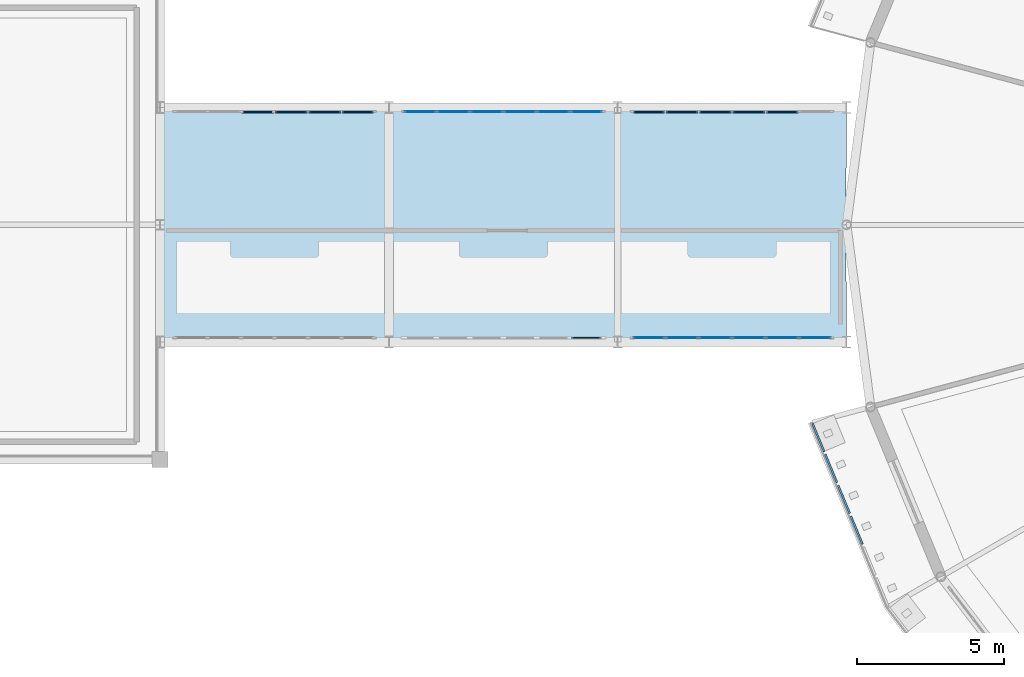
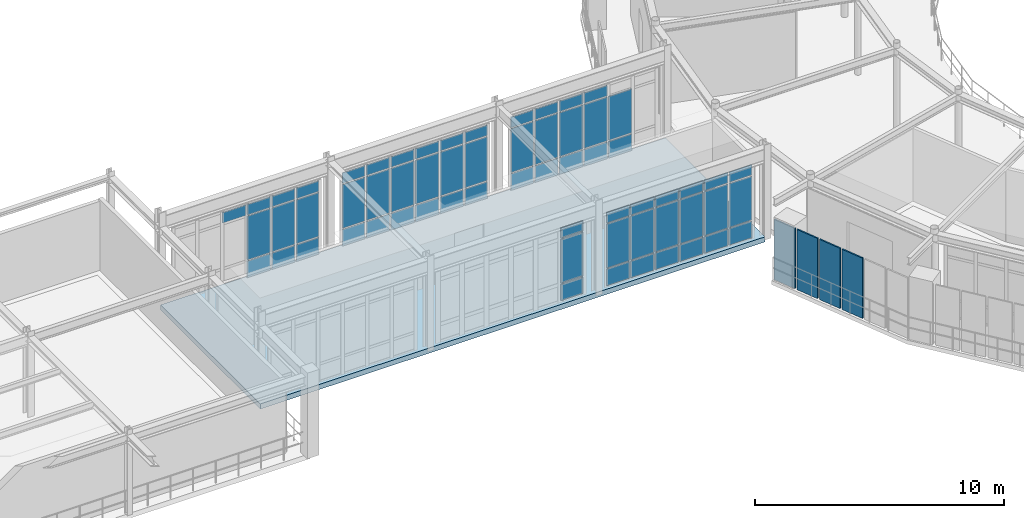
# One storey, part 59 of 90: 67 plates, 1 slab, 5 elements without a shape of their own.
"""IFC4 building model written with IfcOpenShell, lengths in metres."""

from ifc_helpers import new_model, si_unit, derived_unit, direction, frame, origin, origin_2d, place, context, subcontext, project, spatial, polyline, rectangle, outline, extrude, material, layer, layer_set, type_object, element, aggregate, save


model = new_model("IFC4")

# Units and contexts
model_context = context("Model", 3, precision=1e-05, world=origin(), true_north=direction((0.0, 1.0)))
body_context = subcontext(model_context, "Body", "Model", "MODEL_VIEW")
ifc_project = project(units=[si_unit("LENGTHUNIT", "METRE"), si_unit("AREAUNIT", "SQUARE_METRE"), si_unit("VOLUMEUNIT", "CUBIC_METRE"), si_unit("PLANEANGLEUNIT", "RADIAN"), si_unit("MASSUNIT", "GRAM", prefix="KILO"), derived_unit("THERMALTRANSMITTANCEUNIT", [(si_unit("POWERUNIT", "WATT"), 1), (si_unit("AREAUNIT", "SQUARE_METRE"), -1), (si_unit("THERMODYNAMICTEMPERATUREUNIT", "KELVIN"), -1)])], contexts=[model_context])

# Site, building, storey
site_placement = place(None, origin())
site = spatial("IfcSite", under=ifc_project, at=site_placement, CompositionType="ELEMENT")
building_placement = place(site_placement, origin())
building = spatial("IfcBuilding", under=site, at=building_placement, Name="Yasenodar Specialist Clinic", CompositionType="ELEMENT")
storey_placement = place(building_placement, frame((0.0, 0.0, 9.0)))
storey = spatial("IfcBuildingStorey", under=building, at=storey_placement, Name="L02", CompositionType="ELEMENT", Elevation=9.0)

# Curtain wall, plates
ifc_material_1 = material(Name="Bronze Anodized Aluminium and Triple Low-E Glass", Category="aluminium")
ifc_layer_1 = layer(ifc_material_1, 0.19091796875)
ifc_layer_set_1 = layer_set([ifc_layer_1], Name="Bronze Anodized Aluminium and Triple Low-E Glass")
curtain_wall_type = type_object("IfcCurtainWallType", Name="CW-SYS-03", PredefinedType="USERDEFINED", material=ifc_layer_set_1)
curtain_wall_1_placement = place(storey_placement, origin())
curtain_wall_1 = element("IfcCurtainWall", 1, at=curtain_wall_1_placement, inside=storey, type_object=curtain_wall_type, Name="L02 Unitised Curtain Wall 112", ObjectType="UNITISED CURTAIN WALL", PredefinedType="USERDEFINED")
ifc_material_2 = material(Name="Triple Low-E Argon Glazing", Category="glass")
ifc_layer_2 = layer(ifc_material_2, 0.028076171875)
ifc_layer_set_2 = layer_set([ifc_layer_2], Name="Triple Low-E Argon Glazing")
plate_type_1 = type_object("IfcPlateType", Name="CW-PAN-1", PredefinedType="CURTAIN_PANEL", material=ifc_layer_set_2)
plate_1_placement = place(storey_placement, frame((55.93505859375, 54.949951171875, 0.06005859375), z_axis=(0.0, 0.0, 1.0), x_axis=(-1.0, 0.0, 0.0)))
plate_1 = element("IfcPlate", 2, at=plate_1_placement, type_object=plate_type_1, Name="CW-03 panel 1.1", PredefinedType="CURTAIN_PANEL", context=body_context, shape_type="SweptSolid", body=[
    extrude(rectangle(XDim=1.050048828125, YDim=0.028076171875, at=origin_2d()), origin(), (0.0, 0.0, 1.0), 0.81005859375),
])
plate_2_placement = place(storey_placement, frame((55.93505859375, 54.949951171875, 0.929931640625), z_axis=(0.0, 0.0, 1.0), x_axis=(-1.0, 0.0, 0.0)))
plate_2 = element("IfcPlate", 3, at=plate_2_placement, type_object=plate_type_1, Name="CW-03 panel 1.2", PredefinedType="CURTAIN_PANEL", context=body_context, shape_type="SweptSolid", body=[
    extrude(rectangle(XDim=1.050048828125, YDim=0.028076171875, at=origin_2d()), origin(), (0.0, 0.0, 1.0), 2.14306640625),
])
plate_3_placement = place(storey_placement, frame((55.93505859375, 54.949951171875, 3.1328125), z_axis=(0.0, 0.0, 1.0), x_axis=(-1.0, 0.0, 0.0)))
plate_3 = element("IfcPlate", 4, at=plate_3_placement, type_object=plate_type_1, Name="CW-03 panel 1.3", PredefinedType="CURTAIN_PANEL", context=body_context, shape_type="SweptSolid", body=[
    extrude(rectangle(XDim=1.050048828125, YDim=0.028076171875, at=origin_2d()), origin(), (0.0, 0.0, 1.0), 0.510009765625),
])
plate_4_placement = place(storey_placement, frame((54.81005859375, 54.949951171875, 0.06005859375), z_axis=(0.0, 0.0, 1.0), x_axis=(-1.0, 0.0, 0.0)))
plate_4 = element("IfcPlate", 5, at=plate_4_placement, type_object=plate_type_1, Name="CW-03 panel 2.1", PredefinedType="CURTAIN_PANEL", context=body_context, shape_type="SweptSolid", body=[
    extrude(rectangle(XDim=1.080078125, YDim=0.028076171875, at=origin_2d()), origin(), (0.0, 0.0, 1.0), 0.81005859375),
])
plate_5_placement = place(storey_placement, frame((54.81005859375, 54.949951171875, 0.929931640625), z_axis=(0.0, 0.0, 1.0), x_axis=(-1.0, 0.0, 0.0)))
plate_5 = element("IfcPlate", 6, at=plate_5_placement, type_object=plate_type_1, Name="CW-03 panel 2.2", PredefinedType="CURTAIN_PANEL", context=body_context, shape_type="SweptSolid", body=[
    extrude(rectangle(XDim=1.080078125, YDim=0.028076171875, at=origin_2d()), origin(), (0.0, 0.0, 1.0), 2.14306640625),
])
plate_6_placement = place(storey_placement, frame((54.81005859375, 54.949951171875, 3.1328125), z_axis=(0.0, 0.0, 1.0), x_axis=(-1.0, 0.0, 0.0)))
plate_6 = element("IfcPlate", 7, at=plate_6_placement, type_object=plate_type_1, Name="CW-03 panel 2.3", PredefinedType="CURTAIN_PANEL", context=body_context, shape_type="SweptSolid", body=[
    extrude(rectangle(XDim=1.080078125, YDim=0.028076171875, at=origin_2d()), origin(), (0.0, 0.0, 1.0), 0.510009765625),
])
plate_7_placement = place(storey_placement, frame((53.669921875, 54.949951171875, 0.06005859375), z_axis=(0.0, 0.0, 1.0), x_axis=(-1.0, 0.0, 0.0)))
plate_7 = element("IfcPlate", 8, at=plate_7_placement, type_object=plate_type_1, Name="CW-03 panel 3.1", PredefinedType="CURTAIN_PANEL", context=body_context, shape_type="SweptSolid", body=[
    extrude(rectangle(XDim=1.080078125, YDim=0.028076171875, at=origin_2d()), origin(), (0.0, 0.0, 1.0), 0.81005859375),
])
plate_8_placement = place(storey_placement, frame((53.669921875, 54.949951171875, 0.929931640625), z_axis=(0.0, 0.0, 1.0), x_axis=(-1.0, 0.0, 0.0)))
plate_8 = element("IfcPlate", 9, at=plate_8_placement, type_object=plate_type_1, Name="CW-03 panel 3.2", PredefinedType="CURTAIN_PANEL", context=body_context, shape_type="SweptSolid", body=[
    extrude(rectangle(XDim=1.080078125, YDim=0.028076171875, at=origin_2d()), origin(), (0.0, 0.0, 1.0), 2.14306640625),
])
plate_9_placement = place(storey_placement, frame((53.669921875, 54.949951171875, 3.1328125), z_axis=(0.0, 0.0, 1.0), x_axis=(-1.0, 0.0, 0.0)))
plate_9 = element("IfcPlate", 10, at=plate_9_placement, type_object=plate_type_1, Name="CW-03 panel 3.3", PredefinedType="CURTAIN_PANEL", context=body_context, shape_type="SweptSolid", body=[
    extrude(rectangle(XDim=1.080078125, YDim=0.028076171875, at=origin_2d()), origin(), (0.0, 0.0, 1.0), 0.510009765625),
])
plate_10_placement = place(storey_placement, frame((52.530029296875, 54.949951171875, 0.06005859375), z_axis=(0.0, 0.0, 1.0), x_axis=(-1.0, 0.0, 0.0)))
plate_10 = element("IfcPlate", 11, at=plate_10_placement, type_object=plate_type_1, Name="CW-03 panel 4.1", PredefinedType="CURTAIN_PANEL", context=body_context, shape_type="SweptSolid", body=[
    extrude(rectangle(XDim=1.080078125, YDim=0.028076171875, at=origin_2d()), origin(), (0.0, 0.0, 1.0), 0.81005859375),
])
plate_11_placement = place(storey_placement, frame((52.530029296875, 54.949951171875, 0.929931640625), z_axis=(0.0, 0.0, 1.0), x_axis=(-1.0, 0.0, 0.0)))
plate_11 = element("IfcPlate", 12, at=plate_11_placement, type_object=plate_type_1, Name="CW-03 panel 4.2", PredefinedType="CURTAIN_PANEL", context=body_context, shape_type="SweptSolid", body=[
    extrude(rectangle(XDim=1.080078125, YDim=0.028076171875, at=origin_2d()), origin(), (0.0, 0.0, 1.0), 2.14306640625),
])
plate_12_placement = place(storey_placement, frame((52.530029296875, 54.949951171875, 3.1328125), z_axis=(0.0, 0.0, 1.0), x_axis=(-1.0, 0.0, 0.0)))
plate_12 = element("IfcPlate", 13, at=plate_12_placement, type_object=plate_type_1, Name="CW-03 panel 4.3", PredefinedType="CURTAIN_PANEL", context=body_context, shape_type="SweptSolid", body=[
    extrude(rectangle(XDim=1.080078125, YDim=0.028076171875, at=origin_2d()), origin(), (0.0, 0.0, 1.0), 0.510009765625),
])
plate_13_placement = place(storey_placement, frame((51.389892578125, 54.949951171875, 0.06005859375), z_axis=(0.0, 0.0, 1.0), x_axis=(-1.0, 0.0, 0.0)))
plate_13 = element("IfcPlate", 14, at=plate_13_placement, type_object=plate_type_1, Name="CW-03 panel 5.1", PredefinedType="CURTAIN_PANEL", context=body_context, shape_type="SweptSolid", body=[
    extrude(rectangle(XDim=1.080078125, YDim=0.028076171875, at=origin_2d()), origin(), (0.0, 0.0, 1.0), 0.81005859375),
])
plate_14_placement = place(storey_placement, frame((51.389892578125, 54.949951171875, 0.929931640625), z_axis=(0.0, 0.0, 1.0), x_axis=(-1.0, 0.0, 0.0)))
plate_14 = element("IfcPlate", 15, at=plate_14_placement, type_object=plate_type_1, Name="CW-03 panel 5.2", PredefinedType="CURTAIN_PANEL", context=body_context, shape_type="SweptSolid", body=[
    extrude(rectangle(XDim=1.080078125, YDim=0.028076171875, at=origin_2d()), origin(), (0.0, 0.0, 1.0), 2.14306640625),
])
plate_15_placement = place(storey_placement, frame((51.389892578125, 54.949951171875, 3.1328125), z_axis=(0.0, 0.0, 1.0), x_axis=(-1.0, 0.0, 0.0)))
plate_15 = element("IfcPlate", 16, at=plate_15_placement, type_object=plate_type_1, Name="CW-03 panel 5.3", PredefinedType="CURTAIN_PANEL", context=body_context, shape_type="SweptSolid", body=[
    extrude(rectangle(XDim=1.080078125, YDim=0.028076171875, at=origin_2d()), origin(), (0.0, 0.0, 1.0), 0.510009765625),
])
plate_16_placement = place(storey_placement, frame((50.264892578125, 54.949951171875, 0.06005859375), z_axis=(0.0, 0.0, 1.0), x_axis=(-1.0, 0.0, 0.0)))
plate_16 = element("IfcPlate", 17, at=plate_16_placement, type_object=plate_type_1, Name="CW-03 panel 6.1", PredefinedType="CURTAIN_PANEL", context=body_context, shape_type="SweptSolid", body=[
    extrude(rectangle(XDim=1.050048828125, YDim=0.028076171875, at=origin_2d()), origin(), (0.0, 0.0, 1.0), 0.81005859375),
])
plate_17_placement = place(storey_placement, frame((50.264892578125, 54.949951171875, 0.929931640625), z_axis=(0.0, 0.0, 1.0), x_axis=(-1.0, 0.0, 0.0)))
plate_17 = element("IfcPlate", 18, at=plate_17_placement, type_object=plate_type_1, Name="CW-03 panel 6.2", PredefinedType="CURTAIN_PANEL", context=body_context, shape_type="SweptSolid", body=[
    extrude(rectangle(XDim=1.050048828125, YDim=0.028076171875, at=origin_2d()), origin(), (0.0, 0.0, 1.0), 2.14306640625),
])
plate_18_placement = place(storey_placement, frame((50.264892578125, 54.949951171875, 3.1328125), z_axis=(0.0, 0.0, 1.0), x_axis=(-1.0, 0.0, 0.0)))
plate_18 = element("IfcPlate", 19, at=plate_18_placement, type_object=plate_type_1, Name="CW-03 panel 6.3", PredefinedType="CURTAIN_PANEL", context=body_context, shape_type="SweptSolid", body=[
    extrude(rectangle(XDim=1.050048828125, YDim=0.028076171875, at=origin_2d()), origin(), (0.0, 0.0, 1.0), 0.510009765625),
])
aggregate(curtain_wall_1, [plate_1, plate_2, plate_3, plate_4, plate_5, plate_6, plate_7, plate_8, plate_9, plate_10, plate_11, plate_12, plate_13, plate_14, plate_15, plate_16, plate_17, plate_18])

curtain_wall_2_placement = place(storey_placement, origin())
curtain_wall_2 = element("IfcCurtainWall", 20, at=curtain_wall_2_placement, inside=storey, type_object=curtain_wall_type, Name="L02 Unitised Curtain Wall 109", ObjectType="UNITISED CURTAIN WALL", PredefinedType="USERDEFINED")
ifc_layer_3 = layer(ifc_material_2, 0.033935546875)
ifc_layer_set_3 = layer_set([ifc_layer_3], Name="Triple Low-E Argon Glazing")
plate_type_2 = type_object("IfcPlateType", Name="CW-PAN-2", PredefinedType="CURTAIN_PANEL", material=ifc_layer_set_3)
plate_19_placement = place(storey_placement, frame((42.465087890625, 62.64990234375, 0.06005859375), z_axis=(0.0, 0.0, 1.0), x_axis=(1.0, 0.0, 0.0)))
plate_19 = element("IfcPlate", 21, at=plate_19_placement, type_object=plate_type_2, Name="CW-03 panel 1.1", PredefinedType="CURTAIN_PANEL", context=body_context, shape_type="SweptSolid", body=[
    extrude(rectangle(XDim=1.050048828125, YDim=0.033935546875, at=origin_2d()), origin(), (0.0, 0.0, 1.0), 0.81005859375),
])
plate_20_placement = place(storey_placement, frame((42.465087890625, 62.64990234375, 0.929931640625), z_axis=(0.0, 0.0, 1.0), x_axis=(1.0, 0.0, 0.0)))
plate_20 = element("IfcPlate", 22, at=plate_20_placement, type_object=plate_type_2, Name="CW-03 panel 1.2", PredefinedType="CURTAIN_PANEL", context=body_context, shape_type="SweptSolid", body=[
    extrude(rectangle(XDim=1.050048828125, YDim=0.033935546875, at=origin_2d()), origin(), (0.0, 0.0, 1.0), 2.14306640625),
])
plate_21_placement = place(storey_placement, frame((42.465087890625, 62.64990234375, 3.1328125), z_axis=(0.0, 0.0, 1.0), x_axis=(1.0, 0.0, 0.0)))
plate_21 = element("IfcPlate", 23, at=plate_21_placement, type_object=plate_type_2, Name="CW-03 panel 1.3", PredefinedType="CURTAIN_PANEL", context=body_context, shape_type="SweptSolid", body=[
    extrude(rectangle(XDim=1.050048828125, YDim=0.033935546875, at=origin_2d()), origin(), (0.0, 0.0, 1.0), 0.510009765625),
])
plate_22_placement = place(storey_placement, frame((43.590087890625, 62.64990234375, 0.06005859375), z_axis=(0.0, 0.0, 1.0), x_axis=(1.0, 0.0, 0.0)))
plate_22 = element("IfcPlate", 24, at=plate_22_placement, type_object=plate_type_2, Name="CW-03 panel 2.1", PredefinedType="CURTAIN_PANEL", context=body_context, shape_type="SweptSolid", body=[
    extrude(rectangle(XDim=1.080078125, YDim=0.033935546875, at=origin_2d()), origin(), (0.0, 0.0, 1.0), 0.81005859375),
])
plate_23_placement = place(storey_placement, frame((43.590087890625, 62.64990234375, 0.929931640625), z_axis=(0.0, 0.0, 1.0), x_axis=(1.0, 0.0, 0.0)))
plate_23 = element("IfcPlate", 25, at=plate_23_placement, type_object=plate_type_2, Name="CW-03 panel 2.2", PredefinedType="CURTAIN_PANEL", context=body_context, shape_type="SweptSolid", body=[
    extrude(rectangle(XDim=1.080078125, YDim=0.033935546875, at=origin_2d()), origin(), (0.0, 0.0, 1.0), 2.14306640625),
])
plate_24_placement = place(storey_placement, frame((43.590087890625, 62.64990234375, 3.1328125), z_axis=(0.0, 0.0, 1.0), x_axis=(1.0, 0.0, 0.0)))
plate_24 = element("IfcPlate", 26, at=plate_24_placement, type_object=plate_type_2, Name="CW-03 panel 2.3", PredefinedType="CURTAIN_PANEL", context=body_context, shape_type="SweptSolid", body=[
    extrude(rectangle(XDim=1.080078125, YDim=0.033935546875, at=origin_2d()), origin(), (0.0, 0.0, 1.0), 0.510009765625),
])
plate_25_placement = place(storey_placement, frame((44.72998046875, 62.64990234375, 0.06005859375), z_axis=(0.0, 0.0, 1.0), x_axis=(1.0, 0.0, 0.0)))
plate_25 = element("IfcPlate", 27, at=plate_25_placement, type_object=plate_type_2, Name="CW-03 panel 3.1", PredefinedType="CURTAIN_PANEL", context=body_context, shape_type="SweptSolid", body=[
    extrude(rectangle(XDim=1.080078125, YDim=0.033935546875, at=origin_2d()), origin(), (0.0, 0.0, 1.0), 0.81005859375),
])
plate_26_placement = place(storey_placement, frame((44.72998046875, 62.64990234375, 0.929931640625), z_axis=(0.0, 0.0, 1.0), x_axis=(1.0, 0.0, 0.0)))
plate_26 = element("IfcPlate", 28, at=plate_26_placement, type_object=plate_type_2, Name="CW-03 panel 3.2", PredefinedType="CURTAIN_PANEL", context=body_context, shape_type="SweptSolid", body=[
    extrude(rectangle(XDim=1.080078125, YDim=0.033935546875, at=origin_2d()), origin(), (0.0, 0.0, 1.0), 2.14306640625),
])
plate_27_placement = place(storey_placement, frame((44.72998046875, 62.64990234375, 3.1328125), z_axis=(0.0, 0.0, 1.0), x_axis=(1.0, 0.0, 0.0)))
plate_27 = element("IfcPlate", 29, at=plate_27_placement, type_object=plate_type_2, Name="CW-03 panel 3.3", PredefinedType="CURTAIN_PANEL", context=body_context, shape_type="SweptSolid", body=[
    extrude(rectangle(XDim=1.080078125, YDim=0.033935546875, at=origin_2d()), origin(), (0.0, 0.0, 1.0), 0.510009765625),
])
plate_28_placement = place(storey_placement, frame((45.8701171875, 62.64990234375, 0.06005859375), z_axis=(0.0, 0.0, 1.0), x_axis=(1.0, 0.0, 0.0)))
plate_28 = element("IfcPlate", 30, at=plate_28_placement, type_object=plate_type_2, Name="CW-03 panel 4.1", PredefinedType="CURTAIN_PANEL", context=body_context, shape_type="SweptSolid", body=[
    extrude(rectangle(XDim=1.080078125, YDim=0.033935546875, at=origin_2d()), origin(), (0.0, 0.0, 1.0), 0.81005859375),
])
plate_29_placement = place(storey_placement, frame((45.8701171875, 62.64990234375, 0.929931640625), z_axis=(0.0, 0.0, 1.0), x_axis=(1.0, 0.0, 0.0)))
plate_29 = element("IfcPlate", 31, at=plate_29_placement, type_object=plate_type_2, Name="CW-03 panel 4.2", PredefinedType="CURTAIN_PANEL", context=body_context, shape_type="SweptSolid", body=[
    extrude(rectangle(XDim=1.080078125, YDim=0.033935546875, at=origin_2d()), origin(), (0.0, 0.0, 1.0), 2.14306640625),
])
plate_30_placement = place(storey_placement, frame((45.8701171875, 62.64990234375, 3.1328125), z_axis=(0.0, 0.0, 1.0), x_axis=(1.0, 0.0, 0.0)))
plate_30 = element("IfcPlate", 32, at=plate_30_placement, type_object=plate_type_2, Name="CW-03 panel 4.3", PredefinedType="CURTAIN_PANEL", context=body_context, shape_type="SweptSolid", body=[
    extrude(rectangle(XDim=1.080078125, YDim=0.033935546875, at=origin_2d()), origin(), (0.0, 0.0, 1.0), 0.510009765625),
])
plate_31_placement = place(storey_placement, frame((47.010009765625, 62.64990234375, 0.06005859375), z_axis=(0.0, 0.0, 1.0), x_axis=(1.0, 0.0, 0.0)))
plate_31 = element("IfcPlate", 33, at=plate_31_placement, type_object=plate_type_2, Name="CW-03 panel 5.1", PredefinedType="CURTAIN_PANEL", context=body_context, shape_type="SweptSolid", body=[
    extrude(rectangle(XDim=1.080078125, YDim=0.033935546875, at=origin_2d()), origin(), (0.0, 0.0, 1.0), 0.81005859375),
])
plate_32_placement = place(storey_placement, frame((47.010009765625, 62.64990234375, 0.929931640625), z_axis=(0.0, 0.0, 1.0), x_axis=(1.0, 0.0, 0.0)))
plate_32 = element("IfcPlate", 34, at=plate_32_placement, type_object=plate_type_2, Name="CW-03 panel 5.2", PredefinedType="CURTAIN_PANEL", context=body_context, shape_type="SweptSolid", body=[
    extrude(rectangle(XDim=1.080078125, YDim=0.033935546875, at=origin_2d()), origin(), (0.0, 0.0, 1.0), 2.14306640625),
])
plate_33_placement = place(storey_placement, frame((47.010009765625, 62.64990234375, 3.1328125), z_axis=(0.0, 0.0, 1.0), x_axis=(1.0, 0.0, 0.0)))
plate_33 = element("IfcPlate", 35, at=plate_33_placement, type_object=plate_type_2, Name="CW-03 panel 5.3", PredefinedType="CURTAIN_PANEL", context=body_context, shape_type="SweptSolid", body=[
    extrude(rectangle(XDim=1.080078125, YDim=0.033935546875, at=origin_2d()), origin(), (0.0, 0.0, 1.0), 0.510009765625),
])
plate_34_placement = place(storey_placement, frame((48.135009765625, 62.64990234375, 0.06005859375), z_axis=(0.0, 0.0, 1.0), x_axis=(1.0, 0.0, 0.0)))
plate_34 = element("IfcPlate", 36, at=plate_34_placement, type_object=plate_type_2, Name="CW-03 panel 6.1", PredefinedType="CURTAIN_PANEL", context=body_context, shape_type="SweptSolid", body=[
    extrude(rectangle(XDim=1.050048828125, YDim=0.033935546875, at=origin_2d()), origin(), (0.0, 0.0, 1.0), 0.81005859375),
])
plate_35_placement = place(storey_placement, frame((48.135009765625, 62.64990234375, 0.929931640625), z_axis=(0.0, 0.0, 1.0), x_axis=(1.0, 0.0, 0.0)))
plate_35 = element("IfcPlate", 37, at=plate_35_placement, type_object=plate_type_2, Name="CW-03 panel 6.2", PredefinedType="CURTAIN_PANEL", context=body_context, shape_type="SweptSolid", body=[
    extrude(rectangle(XDim=1.050048828125, YDim=0.033935546875, at=origin_2d()), origin(), (0.0, 0.0, 1.0), 2.14306640625),
])
plate_36_placement = place(storey_placement, frame((48.135009765625, 62.64990234375, 3.1328125), z_axis=(0.0, 0.0, 1.0), x_axis=(1.0, 0.0, 0.0)))
plate_36 = element("IfcPlate", 38, at=plate_36_placement, type_object=plate_type_2, Name="CW-03 panel 6.3", PredefinedType="CURTAIN_PANEL", context=body_context, shape_type="SweptSolid", body=[
    extrude(rectangle(XDim=1.050048828125, YDim=0.033935546875, at=origin_2d()), origin(), (0.0, 0.0, 1.0), 0.510009765625),
])
aggregate(curtain_wall_2, [plate_19, plate_20, plate_21, plate_22, plate_23, plate_24, plate_25, plate_26, plate_27, plate_28, plate_29, plate_30, plate_31, plate_32, plate_33, plate_34, plate_35, plate_36])

curtain_wall_3_placement = place(storey_placement, origin())
curtain_wall_3 = element("IfcCurtainWall", 39, at=curtain_wall_3_placement, inside=storey, type_object=curtain_wall_type, Name="L02 Unitised Curtain Wall 110", ObjectType="UNITISED CURTAIN WALL", PredefinedType="USERDEFINED")
ifc_layer_4 = layer(ifc_material_2, 0.0400390625)
ifc_layer_set_4 = layer_set([ifc_layer_4], Name="Triple Low-E Argon Glazing")
plate_type_3 = type_object("IfcPlateType", Name="CW-PAN-3", PredefinedType="CURTAIN_PANEL", material=ifc_layer_set_4)
plate_37_placement = place(storey_placement, frame((48.13134765625, 54.949951171875, 0.074951171875), z_axis=(0.0, 0.0, 1.0), x_axis=(-1.0, 0.0, 0.0)))
plate_37 = element("IfcPlate", 40, at=plate_37_placement, type_object=plate_type_3, Name="CW-03 panel 1.1", PredefinedType="CURTAIN_PANEL", context=body_context, shape_type="SweptSolid", body=[
    extrude(rectangle(XDim=1.027587890625, YDim=0.0400390625, at=origin_2d()), origin(), (0.0, 0.0, 1.0), 0.78759765625),
])
plate_38_placement = place(storey_placement, frame((48.13134765625, 54.949951171875, 0.9375), z_axis=(0.0, 0.0, 1.0), x_axis=(-1.0, 0.0, 0.0)))
plate_38 = element("IfcPlate", 41, at=plate_38_placement, type_object=plate_type_3, Name="CW-03 panel 1.2", PredefinedType="CURTAIN_PANEL", context=body_context, shape_type="SweptSolid", body=[
    extrude(rectangle(XDim=1.027587890625, YDim=0.0400390625, at=origin_2d()), origin(), (0.0, 0.0, 1.0), 2.1279296875),
])
plate_39_placement = place(storey_placement, frame((48.13134765625, 54.949951171875, 3.140625), z_axis=(0.0, 0.0, 1.0), x_axis=(-1.0, 0.0, 0.0)))
plate_39 = element("IfcPlate", 42, at=plate_39_placement, type_object=plate_type_3, Name="CW-03 panel 1.3", PredefinedType="CURTAIN_PANEL", context=body_context, shape_type="SweptSolid", body=[
    extrude(rectangle(XDim=1.027587890625, YDim=0.0400390625, at=origin_2d()), origin(), (0.0, 0.0, 1.0), 0.487548828125),
])
aggregate(curtain_wall_3, [plate_37, plate_38, plate_39])

curtain_wall_4_placement = place(storey_placement, origin())
curtain_wall_4 = element("IfcCurtainWall", 43, at=curtain_wall_4_placement, inside=storey, type_object=curtain_wall_type, Name="L02 Unitised Curtain Wall 107", ObjectType="UNITISED CURTAIN WALL", PredefinedType="USERDEFINED")
ifc_layer_5 = layer(ifc_material_2, 0.0458984375)
ifc_layer_set_5 = layer_set([ifc_layer_5], Name="Triple Low-E Argon Glazing")
plate_type_4 = type_object("IfcPlateType", Name="CW-PAN-4", PredefinedType="CURTAIN_PANEL", material=ifc_layer_set_5)
plate_40_placement = place(storey_placement, frame((36.929931640625, 62.64990234375, 3.1328125), z_axis=(0.0, 0.0, 1.0), x_axis=(1.0, 0.0, 0.0)))
plate_40 = element("IfcPlate", 44, at=plate_40_placement, type_object=plate_type_4, Name="CW-03 panel 3.3", PredefinedType="CURTAIN_PANEL", context=body_context, shape_type="SweptSolid", body=[
    extrude(rectangle(XDim=1.080078125, YDim=0.0458984375, at=origin_2d()), origin(), (0.0, 0.0, 1.0), 0.510009765625),
])
plate_41_placement = place(storey_placement, frame((38.070068359375, 62.64990234375, 0.06005859375), z_axis=(0.0, 0.0, 1.0), x_axis=(1.0, 0.0, 0.0)))
plate_41 = element("IfcPlate", 45, at=plate_41_placement, type_object=plate_type_4, Name="CW-03 panel 4.1", PredefinedType="CURTAIN_PANEL", context=body_context, shape_type="SweptSolid", body=[
    extrude(rectangle(XDim=1.080078125, YDim=0.0458984375, at=origin_2d()), origin(), (0.0, 0.0, 1.0), 0.81005859375),
])
plate_42_placement = place(storey_placement, frame((38.070068359375, 62.64990234375, 0.929931640625), z_axis=(0.0, 0.0, 1.0), x_axis=(1.0, 0.0, 0.0)))
plate_42 = element("IfcPlate", 46, at=plate_42_placement, type_object=plate_type_4, Name="CW-03 panel 4.2", PredefinedType="CURTAIN_PANEL", context=body_context, shape_type="SweptSolid", body=[
    extrude(rectangle(XDim=1.080078125, YDim=0.0458984375, at=origin_2d()), origin(), (0.0, 0.0, 1.0), 2.14306640625),
])
plate_43_placement = place(storey_placement, frame((38.070068359375, 62.64990234375, 3.1328125), z_axis=(0.0, 0.0, 1.0), x_axis=(1.0, 0.0, 0.0)))
plate_43 = element("IfcPlate", 47, at=plate_43_placement, type_object=plate_type_4, Name="CW-03 panel 4.3", PredefinedType="CURTAIN_PANEL", context=body_context, shape_type="SweptSolid", body=[
    extrude(rectangle(XDim=1.080078125, YDim=0.0458984375, at=origin_2d()), origin(), (0.0, 0.0, 1.0), 0.510009765625),
])
plate_44_placement = place(storey_placement, frame((39.2099609375, 62.64990234375, 0.06005859375), z_axis=(0.0, 0.0, 1.0), x_axis=(1.0, 0.0, 0.0)))
plate_44 = element("IfcPlate", 48, at=plate_44_placement, type_object=plate_type_4, Name="CW-03 panel 5.1", PredefinedType="CURTAIN_PANEL", context=body_context, shape_type="SweptSolid", body=[
    extrude(rectangle(XDim=1.080078125, YDim=0.0458984375, at=origin_2d()), origin(), (0.0, 0.0, 1.0), 0.81005859375),
])
plate_45_placement = place(storey_placement, frame((39.2099609375, 62.64990234375, 0.929931640625), z_axis=(0.0, 0.0, 1.0), x_axis=(1.0, 0.0, 0.0)))
plate_45 = element("IfcPlate", 49, at=plate_45_placement, type_object=plate_type_4, Name="CW-03 panel 5.2", PredefinedType="CURTAIN_PANEL", context=body_context, shape_type="SweptSolid", body=[
    extrude(rectangle(XDim=1.080078125, YDim=0.0458984375, at=origin_2d()), origin(), (0.0, 0.0, 1.0), 2.14306640625),
])
plate_46_placement = place(storey_placement, frame((39.2099609375, 62.64990234375, 3.1328125), z_axis=(0.0, 0.0, 1.0), x_axis=(1.0, 0.0, 0.0)))
plate_46 = element("IfcPlate", 50, at=plate_46_placement, type_object=plate_type_4, Name="CW-03 panel 5.3", PredefinedType="CURTAIN_PANEL", context=body_context, shape_type="SweptSolid", body=[
    extrude(rectangle(XDim=1.080078125, YDim=0.0458984375, at=origin_2d()), origin(), (0.0, 0.0, 1.0), 0.510009765625),
])
plate_47_placement = place(storey_placement, frame((40.3349609375, 62.64990234375, 0.06005859375), z_axis=(0.0, 0.0, 1.0), x_axis=(1.0, 0.0, 0.0)))
plate_47 = element("IfcPlate", 51, at=plate_47_placement, type_object=plate_type_4, Name="CW-03 panel 6.1", PredefinedType="CURTAIN_PANEL", context=body_context, shape_type="SweptSolid", body=[
    extrude(rectangle(XDim=1.050048828125, YDim=0.0458984375, at=origin_2d()), origin(), (0.0, 0.0, 1.0), 0.81005859375),
])
plate_48_placement = place(storey_placement, frame((40.3349609375, 62.64990234375, 0.929931640625), z_axis=(0.0, 0.0, 1.0), x_axis=(1.0, 0.0, 0.0)))
plate_48 = element("IfcPlate", 52, at=plate_48_placement, type_object=plate_type_4, Name="CW-03 panel 6.2", PredefinedType="CURTAIN_PANEL", context=body_context, shape_type="SweptSolid", body=[
    extrude(rectangle(XDim=1.050048828125, YDim=0.0458984375, at=origin_2d()), origin(), (0.0, 0.0, 1.0), 2.14306640625),
])
plate_49_placement = place(storey_placement, frame((40.3349609375, 62.64990234375, 3.1328125), z_axis=(0.0, 0.0, 1.0), x_axis=(1.0, 0.0, 0.0)))
plate_49 = element("IfcPlate", 53, at=plate_49_placement, type_object=plate_type_4, Name="CW-03 panel 6.3", PredefinedType="CURTAIN_PANEL", context=body_context, shape_type="SweptSolid", body=[
    extrude(rectangle(XDim=1.050048828125, YDim=0.0458984375, at=origin_2d()), origin(), (0.0, 0.0, 1.0), 0.510009765625),
])
aggregate(curtain_wall_4, [plate_40, plate_41, plate_42, plate_43, plate_44, plate_45, plate_46, plate_47, plate_48, plate_49])

curtain_wall_5_placement = place(storey_placement, origin())
curtain_wall_5 = element("IfcCurtainWall", 54, at=curtain_wall_5_placement, inside=storey, type_object=curtain_wall_type, Name="L02 Unitised Curtain Wall 111", ObjectType="UNITISED CURTAIN WALL", PredefinedType="USERDEFINED")
plate_50_placement = place(storey_placement, frame((50.264892578125, 62.64990234375, 0.06005859375), z_axis=(0.0, 0.0, 1.0), x_axis=(1.0, 0.0, 0.0)))
plate_50 = element("IfcPlate", 55, at=plate_50_placement, type_object=plate_type_4, Name="CW-03 panel 1.1", PredefinedType="CURTAIN_PANEL", context=body_context, shape_type="SweptSolid", body=[
    extrude(rectangle(XDim=1.050048828125, YDim=0.0458984375, at=origin_2d()), origin(), (0.0, 0.0, 1.0), 0.81005859375),
])
plate_51_placement = place(storey_placement, frame((50.264892578125, 62.64990234375, 0.929931640625), z_axis=(0.0, 0.0, 1.0), x_axis=(1.0, 0.0, 0.0)))
plate_51 = element("IfcPlate", 56, at=plate_51_placement, type_object=plate_type_4, Name="CW-03 panel 1.2", PredefinedType="CURTAIN_PANEL", context=body_context, shape_type="SweptSolid", body=[
    extrude(rectangle(XDim=1.050048828125, YDim=0.0458984375, at=origin_2d()), origin(), (0.0, 0.0, 1.0), 2.14306640625),
])
plate_52_placement = place(storey_placement, frame((50.264892578125, 62.64990234375, 3.1328125), z_axis=(0.0, 0.0, 1.0), x_axis=(1.0, 0.0, 0.0)))
plate_52 = element("IfcPlate", 57, at=plate_52_placement, type_object=plate_type_4, Name="CW-03 panel 1.3", PredefinedType="CURTAIN_PANEL", context=body_context, shape_type="SweptSolid", body=[
    extrude(rectangle(XDim=1.050048828125, YDim=0.0458984375, at=origin_2d()), origin(), (0.0, 0.0, 1.0), 0.510009765625),
])
plate_53_placement = place(storey_placement, frame((51.389892578125, 62.64990234375, 0.06005859375), z_axis=(0.0, 0.0, 1.0), x_axis=(1.0, 0.0, 0.0)))
plate_53 = element("IfcPlate", 58, at=plate_53_placement, type_object=plate_type_4, Name="CW-03 panel 2.1", PredefinedType="CURTAIN_PANEL", context=body_context, shape_type="SweptSolid", body=[
    extrude(rectangle(XDim=1.080078125, YDim=0.0458984375, at=origin_2d()), origin(), (0.0, 0.0, 1.0), 0.81005859375),
])
plate_54_placement = place(storey_placement, frame((51.389892578125, 62.64990234375, 0.929931640625), z_axis=(0.0, 0.0, 1.0), x_axis=(1.0, 0.0, 0.0)))
plate_54 = element("IfcPlate", 59, at=plate_54_placement, type_object=plate_type_4, Name="CW-03 panel 2.2", PredefinedType="CURTAIN_PANEL", context=body_context, shape_type="SweptSolid", body=[
    extrude(rectangle(XDim=1.080078125, YDim=0.0458984375, at=origin_2d()), origin(), (0.0, 0.0, 1.0), 2.14306640625),
])
plate_55_placement = place(storey_placement, frame((51.389892578125, 62.64990234375, 3.1328125), z_axis=(0.0, 0.0, 1.0), x_axis=(1.0, 0.0, 0.0)))
plate_55 = element("IfcPlate", 60, at=plate_55_placement, type_object=plate_type_4, Name="CW-03 panel 2.3", PredefinedType="CURTAIN_PANEL", context=body_context, shape_type="SweptSolid", body=[
    extrude(rectangle(XDim=1.080078125, YDim=0.0458984375, at=origin_2d()), origin(), (0.0, 0.0, 1.0), 0.510009765625),
])
plate_56_placement = place(storey_placement, frame((52.530029296875, 62.64990234375, 0.06005859375), z_axis=(0.0, 0.0, 1.0), x_axis=(1.0, 0.0, 0.0)))
plate_56 = element("IfcPlate", 61, at=plate_56_placement, type_object=plate_type_4, Name="CW-03 panel 3.1", PredefinedType="CURTAIN_PANEL", context=body_context, shape_type="SweptSolid", body=[
    extrude(rectangle(XDim=1.080078125, YDim=0.0458984375, at=origin_2d()), origin(), (0.0, 0.0, 1.0), 0.81005859375),
])
plate_57_placement = place(storey_placement, frame((52.530029296875, 62.64990234375, 0.929931640625), z_axis=(0.0, 0.0, 1.0), x_axis=(1.0, 0.0, 0.0)))
plate_57 = element("IfcPlate", 62, at=plate_57_placement, type_object=plate_type_4, Name="CW-03 panel 3.2", PredefinedType="CURTAIN_PANEL", context=body_context, shape_type="SweptSolid", body=[
    extrude(rectangle(XDim=1.080078125, YDim=0.0458984375, at=origin_2d()), origin(), (0.0, 0.0, 1.0), 2.14306640625),
])
plate_58_placement = place(storey_placement, frame((52.530029296875, 62.64990234375, 3.1328125), z_axis=(0.0, 0.0, 1.0), x_axis=(1.0, 0.0, 0.0)))
plate_58 = element("IfcPlate", 63, at=plate_58_placement, type_object=plate_type_4, Name="CW-03 panel 3.3", PredefinedType="CURTAIN_PANEL", context=body_context, shape_type="SweptSolid", body=[
    extrude(rectangle(XDim=1.080078125, YDim=0.0458984375, at=origin_2d()), origin(), (0.0, 0.0, 1.0), 0.510009765625),
])
plate_59_placement = place(storey_placement, frame((53.669921875, 62.64990234375, 0.06005859375), z_axis=(0.0, 0.0, 1.0), x_axis=(1.0, 0.0, 0.0)))
plate_59 = element("IfcPlate", 64, at=plate_59_placement, type_object=plate_type_4, Name="CW-03 panel 4.1", PredefinedType="CURTAIN_PANEL", context=body_context, shape_type="SweptSolid", body=[
    extrude(rectangle(XDim=1.080078125, YDim=0.0458984375, at=origin_2d()), origin(), (0.0, 0.0, 1.0), 0.81005859375),
])
plate_60_placement = place(storey_placement, frame((53.669921875, 62.64990234375, 0.929931640625), z_axis=(0.0, 0.0, 1.0), x_axis=(1.0, 0.0, 0.0)))
plate_60 = element("IfcPlate", 65, at=plate_60_placement, type_object=plate_type_4, Name="CW-03 panel 4.2", PredefinedType="CURTAIN_PANEL", context=body_context, shape_type="SweptSolid", body=[
    extrude(rectangle(XDim=1.080078125, YDim=0.0458984375, at=origin_2d()), origin(), (0.0, 0.0, 1.0), 2.14306640625),
])
plate_61_placement = place(storey_placement, frame((53.669921875, 62.64990234375, 3.1328125), z_axis=(0.0, 0.0, 1.0), x_axis=(1.0, 0.0, 0.0)))
plate_61 = element("IfcPlate", 66, at=plate_61_placement, type_object=plate_type_4, Name="CW-03 panel 4.3", PredefinedType="CURTAIN_PANEL", context=body_context, shape_type="SweptSolid", body=[
    extrude(rectangle(XDim=1.080078125, YDim=0.0458984375, at=origin_2d()), origin(), (0.0, 0.0, 1.0), 0.510009765625),
])
plate_62_placement = place(storey_placement, frame((54.81005859375, 62.64990234375, 0.06005859375), z_axis=(0.0, 0.0, 1.0), x_axis=(1.0, 0.0, 0.0)))
plate_62 = element("IfcPlate", 67, at=plate_62_placement, type_object=plate_type_4, Name="CW-03 panel 5.1", PredefinedType="CURTAIN_PANEL", context=body_context, shape_type="SweptSolid", body=[
    extrude(rectangle(XDim=1.080078125, YDim=0.0458984375, at=origin_2d()), origin(), (0.0, 0.0, 1.0), 0.81005859375),
])
plate_63_placement = place(storey_placement, frame((54.81005859375, 62.64990234375, 0.929931640625), z_axis=(0.0, 0.0, 1.0), x_axis=(1.0, 0.0, 0.0)))
plate_63 = element("IfcPlate", 68, at=plate_63_placement, type_object=plate_type_4, Name="CW-03 panel 5.2", PredefinedType="CURTAIN_PANEL", context=body_context, shape_type="SweptSolid", body=[
    extrude(rectangle(XDim=1.080078125, YDim=0.0458984375, at=origin_2d()), origin(), (0.0, 0.0, 1.0), 2.14306640625),
])
aggregate(curtain_wall_5, [plate_50, plate_51, plate_52, plate_53, plate_54, plate_55, plate_56, plate_57, plate_58, plate_59, plate_60, plate_61, plate_62, plate_63])

# Plates
ifc_material_3 = material(Name="Thermally Modified Larch and Bronze Girih Jali Screen")
ifc_layer_6 = layer(ifc_material_3, 0.06494140625)
ifc_layer_set_6 = layer_set([ifc_layer_6], Name="Thermally Modified Larch and Bronze Girih Jali Screen")
plate_type_5 = type_object("IfcPlateType", Name="PL-JALI-850", PredefinedType="USERDEFINED", material=ifc_layer_set_6)
for number, where, z_axis, x_axis, name in (
    (69, (56.040283203125, 51.5458984375, 0.0048828125), (0.0, 0.0, 1.0), (0.382686667195, -0.923878192594, 0.0), "L02 Sliding Timber-Bronze Jali Shutter Screen 0157"),
    (70, (56.476318359375, 50.492919921875, 0.0048828125), (0.0, 0.0, 1.0), (0.382686667195, -0.923878192594, 0.0), "L02 Sliding Timber-Bronze Jali Shutter Screen 0158"),
    (71, (56.91259765625, 49.439697265625, 0.0048828125), (0.0, 0.0, 1.0), (0.382686667195, -0.923878192594, 0.0), "L02 Sliding Timber-Bronze Jali Shutter Screen 0159"),
    (72, (57.348876953125, 48.386474609375, 0.0048828125), (0.0, 0.0, 1.0), (0.382686667195, -0.923878192594, 0.0), "L02 Sliding Timber-Bronze Jali Shutter Screen 0160"),
):
    element("IfcPlate", number, at=place(storey_placement, frame(where, z_axis=z_axis, x_axis=x_axis)), inside=storey, type_object=plate_type_5, Name=name, ObjectType="SCREEN_PANEL", PredefinedType="USERDEFINED", context=body_context, shape_type="SweptSolid", body=[
        extrude(rectangle(XDim=1.0400390625, YDim=0.06494140625, at=origin_2d()), origin(), (0.0, 0.0, 1.0), 2.949951171875),
    ])

# Slab
ifc_material_4 = material(Name="Concrete C30/37", Category="concrete")
ifc_layer_7 = layer(ifc_material_4, 0.25)
ifc_layer_set_7 = layer_set([ifc_layer_7], Name="Concrete C30/37")
slab_type = type_object("IfcSlabType", Name="SLB-FLR-250", PredefinedType="FLOOR", material=ifc_layer_set_7)
slab_placement = place(storey_placement, frame((0.0, 0.0, -0.25)))
element("IfcSlab", 73, at=slab_placement, inside=storey, type_object=slab_type, Name="L02 V6 structural slab", PredefinedType="FLOOR", context=body_context, shape_type="SweptSolid", body=[
    extrude(outline(polyline([(57.0, 54.800048828125), (33.614990234375, 54.800048828125), (33.614990234375, 62.800048828125), (57.0, 62.800048828125), (56.98486328125, 58.800048828125), (57.0, 54.800048828125)])), origin(), (0.0, 0.0, 1.0), 0.25),
])

save(model, "model.ifc")
